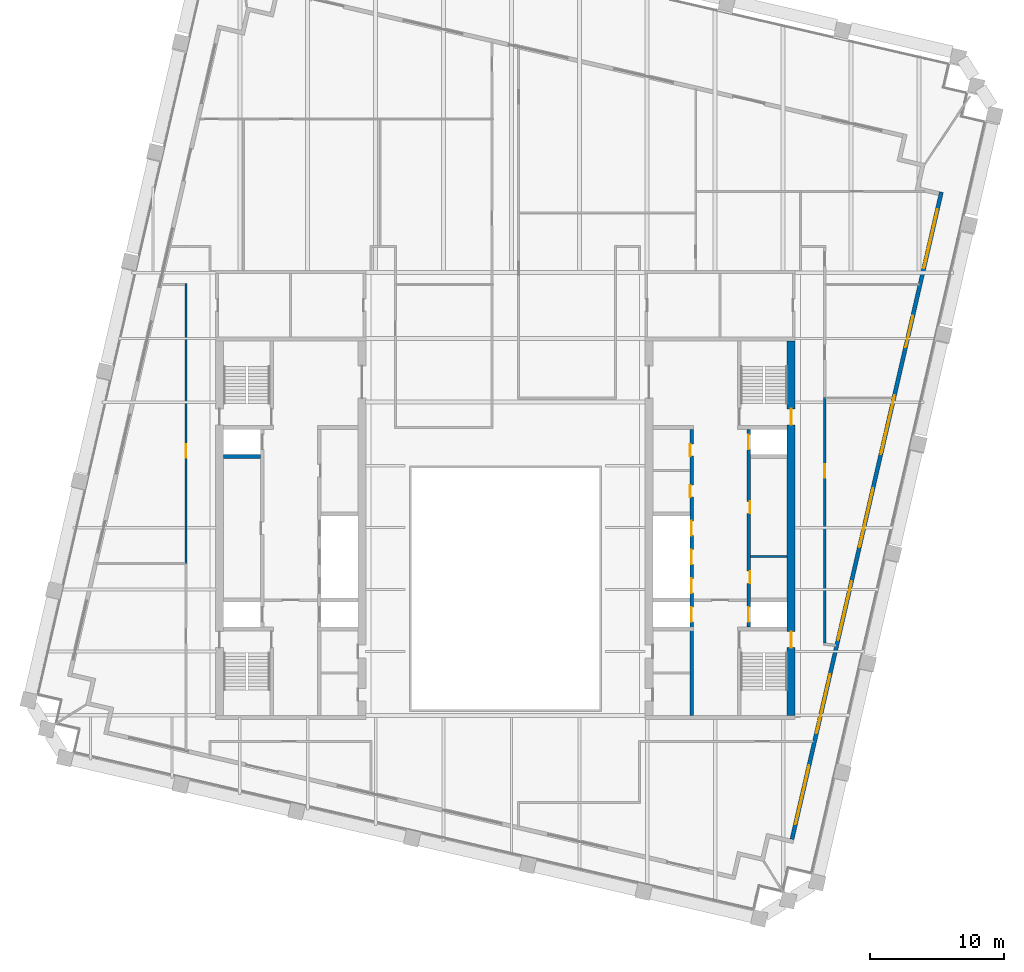
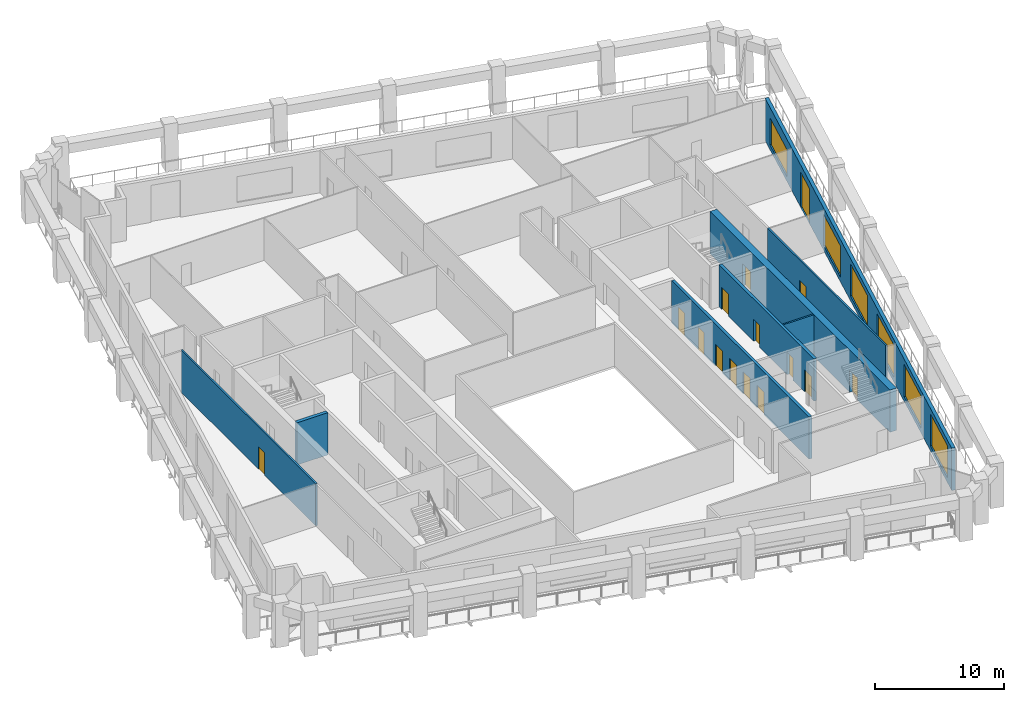
# One storey, part 5 of 10: 15 doors, 8 walls, 6 windows, 21 openings.
"""IFC4 building model written with IfcOpenShell, lengths in metres."""

from ifc_helpers import new_model, si_unit, direction, frame, frame_2d, origin, place, context, subcontext, project, spatial, rectangle, extrude, material, layer, layer_set, type_object, element, fill, save


model = new_model("IFC4")

# Units and contexts
model_context = context("Model", 3, precision=1e-05, world=origin(), true_north=direction((0.0, 1.0)))
body_context = subcontext(model_context, "Body", "Model", "MODEL_VIEW")
ifc_project = project(units=[si_unit("LENGTHUNIT", "METRE"), si_unit("AREAUNIT", "SQUARE_METRE"), si_unit("VOLUMEUNIT", "CUBIC_METRE"), si_unit("PLANEANGLEUNIT", "RADIAN"), si_unit("MASSUNIT", "GRAM", prefix="KILO")], contexts=[model_context])

# Site, building, storey
site_placement = place(None, origin())
site = spatial("IfcSite", under=ifc_project, at=site_placement, CompositionType="ELEMENT")
building_placement = place(site_placement, origin())
building = spatial("IfcBuilding", under=site, at=building_placement, Name="Ogive Exchange Tower", CompositionType="ELEMENT")
storey_placement = place(building_placement, frame((0.0, 0.0, 280.800048828125)))
storey = spatial("IfcBuildingStorey", under=building, at=storey_placement, Name="L61", CompositionType="ELEMENT", Elevation=280.800048828125)

# Wall
ifc_material_1 = material(Name="Gypsum board partition")
ifc_layer_1 = layer(ifc_material_1, 0.14990234375)
ifc_layer_set_1 = layer_set([ifc_layer_1], Name="Core room partition 150 gypsum")
wall_type_1 = type_object("IfcWallType", Name="Core room partition 150 gypsum", PredefinedType="PARTITIONING", material=ifc_layer_set_1)
wall_1_placement = place(storey_placement, frame((18.25, 9.39990234375, 0.0), z_axis=(0.0, 0.0, 1.0), x_axis=(1.0, 0.0, 0.0)))
element("IfcWall", 1, at=wall_1_placement, inside=storey, type_object=wall_type_1, Name="E row A bay partition 1-1", PredefinedType="PARTITIONING", context=body_context, shape_type="SweptSolid", body=[
    extrude(rectangle(XDim=2.75, YDim=0.14990234375, at=frame_2d((1.375, 0.0))), origin(), (0.0, 0.0, 1.0), 4.0),
])

# Wall, opening, door
ifc_material_2 = material(Name="Fire partition EI 60 150")
ifc_layer_2 = layer(ifc_material_2, 0.14990234375)
ifc_layer_set_2 = layer_set([ifc_layer_2], Name="Fire partition EI 60 150")
wall_type_2 = type_object("IfcWallType", Name="Fire partition EI 60 150", PredefinedType="PARTITIONING", material=ifc_layer_set_2)
wall_2_placement = place(storey_placement, frame((-23.800048828125, 8.860107421875, 0.0), z_axis=(0.0, 0.0, 1.0), x_axis=(0.0, 1.0, 0.0)))
wall_2 = element("IfcWall", 2, at=wall_2_placement, inside=storey, type_object=wall_type_2, Name="L61-PWL-004", PredefinedType="PARTITIONING", context=body_context, shape_type="SweptSolid", body=[
    extrude(rectangle(XDim=20.875, YDim=0.14990234375, at=frame_2d((10.4375, 0.0))), origin(), (0.0, 0.0, 1.0), 4.0),
])
opening_1_placement = place(wall_2_placement, frame((7.89990234375, 0.0, 0.0)))
opening_1 = element("IfcOpeningElement", 3, at=opening_1_placement, cuts=wall_2, Name="Opening L61-I14", PredefinedType="OPENING", context=body_context, shape_type="SweptSolid", body=[
    extrude(rectangle(XDim=1.0, YDim=2.10009765625, at=frame_2d((0.5, 1.050048828125))), frame((0.0, 0.0849609375, 0.0), z_axis=(0.0, -1.0, 0.0), x_axis=(1.0, 0.0, 0.0)), (0.0, 0.0, 1.0), 0.169921875),
])
ifc_material_3 = material(Name="Fire door FD 30S 1000 x 2100")
door_type_1 = type_object("IfcDoorType", Name="Fire door FD 30S 1000 x 2100", OperationType="NOTDEFINED", PredefinedType="DOOR", material=ifc_material_3)
door_1_placement = place(opening_1_placement, origin())
door_1 = element("IfcDoor", 4, at=door_1_placement, inside=storey, type_object=door_type_1, Name="L61-IDR-014", ObjectType="DT3", OperationType="SINGLE_SWING_RIGHT", OverallHeight=2.10009765625, OverallWidth=1.0, PredefinedType="DOOR", context=body_context, shape_type="SweptSolid", body=[
    extrude(rectangle(XDim=1.0, YDim=2.10009765625, at=frame_2d((0.5, 1.050048828125))), frame((0.0, 0.02490234375, 0.0), z_axis=(0.0, -1.0, 0.0), x_axis=(1.0, 0.0, 0.0)), (0.0, 0.0, 1.0), 0.050048828125),
])
fill(opening_1, door_1)

wall_3_placement = place(storey_placement, frame((23.800048828125, 21.260009765625, 0.0), z_axis=(0.0, 0.0, 1.0), x_axis=(0.0, -1.0, 0.0)))
wall_3 = element("IfcWall", 5, at=wall_3_placement, inside=storey, type_object=wall_type_2, Name="L61-PWL-047", PredefinedType="PARTITIONING", context=body_context, shape_type="SweptSolid", body=[
    extrude(rectangle(XDim=18.324951171875, YDim=0.14990234375, at=frame_2d((9.16259765625, 0.0))), origin(), (0.0, 0.0, 1.0), 4.0),
])
opening_2_placement = place(wall_3_placement, frame((5.0, 0.0, 0.0)))
opening_2 = element("IfcOpeningElement", 6, at=opening_2_placement, cuts=wall_3, Name="Opening L61-I02", PredefinedType="OPENING", context=body_context, shape_type="SweptSolid", body=[
    extrude(rectangle(XDim=1.0, YDim=2.10009765625, at=frame_2d((0.5, 1.050048828125))), frame((0.0, 0.0849609375, 0.0), z_axis=(0.0, -1.0, 0.0), x_axis=(1.0, 0.0, 0.0)), (0.0, 0.0, 1.0), 0.169921875),
])
door_2_placement = place(opening_2_placement, origin())
door_2 = element("IfcDoor", 7, at=door_2_placement, inside=storey, type_object=door_type_1, Name="L61-IDR-002", ObjectType="DT3", OperationType="SINGLE_SWING_RIGHT", OverallHeight=2.10009765625, OverallWidth=1.0, PredefinedType="DOOR", context=body_context, shape_type="SweptSolid", body=[
    extrude(rectangle(XDim=1.0, YDim=2.10009765625, at=frame_2d((0.5, 1.050048828125))), frame((0.0, 0.02490234375, 0.0), z_axis=(0.0, -1.0, 0.0), x_axis=(1.0, 0.0, 0.0)), (0.0, 0.0, 1.0), 0.050048828125),
])
fill(opening_2, door_2)

# Wall, openings, door, windows
ifc_material_4 = material(Name="Precast concrete C40/50", Category="concrete")
ifc_layer_3 = layer(ifc_material_4, 0.300048828125)
ifc_layer_set_3 = layer_set([ifc_layer_3], Name="Limestone-faced wall 300")
wall_type_3 = type_object("IfcWallType", Name="Limestone-faced wall 300", PredefinedType="STANDARD", material=ifc_layer_set_3)
wall_4_placement = place(storey_placement, frame((21.35888671875, -11.67822265625, 0.0), z_axis=(0.0, 0.0, 1.0), x_axis=(0.224949198343, 0.974370493275, 0.0)))
wall_4 = element("IfcWall", 8, at=wall_4_placement, inside=storey, type_object=wall_type_3, Name="External wall E2", PredefinedType="STANDARD", context=body_context, shape_type="SweptSolid", body=[
    extrude(rectangle(XDim=49.5, YDim=0.300048828125, at=frame_2d((24.75, 0.0))), origin(), (0.0, 0.0, 1.0), 4.0),
])
opening_3_placement = place(wall_4_placement, frame((1.156982421875, 0.0, 0.449951171875)))
opening_3 = element("IfcOpeningElement", 9, at=opening_3_placement, cuts=wall_4, Name="Opening W1", PredefinedType="OPENING", context=body_context, shape_type="SweptSolid", body=[
    extrude(rectangle(XDim=4.5, YDim=3.050048828125, at=frame_2d((2.25, 1.52490234375))), frame((0.0, 0.159912109375, 0.0), z_axis=(0.0, -1.0, 0.0), x_axis=(1.0, 0.0, 0.0)), (0.0, 0.0, 1.0), 0.320068359375),
])
opening_4_placement = place(wall_4_placement, frame((8.121337890625, 0.0, 0.449951171875)))
opening_4 = element("IfcOpeningElement", 10, at=opening_4_placement, cuts=wall_4, Name="Opening W1", PredefinedType="OPENING", context=body_context, shape_type="SweptSolid", body=[
    extrude(rectangle(XDim=4.5, YDim=3.050048828125, at=frame_2d((2.25, 1.52490234375))), frame((0.0, 0.159912109375, 0.0), z_axis=(0.0, -1.0, 0.0), x_axis=(1.0, 0.0, 0.0)), (0.0, 0.0, 1.0), 0.320068359375),
])
opening_5_placement = place(wall_4_placement, frame((15.235595703125, 0.0, 0.449951171875)))
opening_5 = element("IfcOpeningElement", 11, at=opening_5_placement, cuts=wall_4, Name="Opening W1", PredefinedType="OPENING", context=body_context, shape_type="SweptSolid", body=[
    extrude(rectangle(XDim=4.5, YDim=3.050048828125, at=frame_2d((2.25, 1.52490234375))), frame((0.0, 0.159912109375, 0.0), z_axis=(0.0, -1.0, 0.0), x_axis=(1.0, 0.0, 0.0)), (0.0, 0.0, 1.0), 0.320068359375),
])
opening_6_placement = place(wall_4_placement, frame((22.35009765625, 0.0, 0.449951171875)))
opening_6 = element("IfcOpeningElement", 12, at=opening_6_placement, cuts=wall_4, Name="Opening W1", PredefinedType="OPENING", context=body_context, shape_type="SweptSolid", body=[
    extrude(rectangle(XDim=4.5, YDim=3.050048828125, at=frame_2d((2.25, 1.52490234375))), frame((0.0, 0.159912109375, 0.0), z_axis=(0.0, -1.0, 0.0), x_axis=(1.0, 0.0, 0.0)), (0.0, 0.0, 1.0), 0.320068359375),
])
opening_7_placement = place(wall_4_placement, frame((29.464111328125, 0.0, 0.449951171875)))
opening_7 = element("IfcOpeningElement", 13, at=opening_7_placement, cuts=wall_4, Name="Opening W1B", PredefinedType="OPENING", context=body_context, shape_type="SweptSolid", body=[
    extrude(rectangle(XDim=4.5, YDim=2.949951171875, at=frame_2d((2.25, 1.47509765625))), frame((0.0, 0.159912109375, 0.0), z_axis=(0.0, -1.0, 0.0), x_axis=(1.0, 0.0, 0.0)), (0.0, 0.0, 1.0), 0.320068359375),
])
opening_8_placement = place(wall_4_placement, frame((37.62841796875, 0.0, 0.0)))
opening_8 = element("IfcOpeningElement", 14, at=opening_8_placement, cuts=wall_4, Name="Opening D1C", PredefinedType="OPENING", context=body_context, shape_type="SweptSolid", body=[
    extrude(rectangle(XDim=2.39990234375, YDim=3.324951171875, at=frame_2d((1.199951171875, 1.66259765625))), frame((0.0, 0.159912109375, 0.0), z_axis=(0.0, -1.0, 0.0), x_axis=(1.0, 0.0, 0.0)), (0.0, 0.0, 1.0), 0.320068359375),
])
opening_9_placement = place(wall_4_placement, frame((43.69287109375, 0.0, 0.449951171875)))
opening_9 = element("IfcOpeningElement", 15, at=opening_9_placement, cuts=wall_4, Name="Opening W1M", PredefinedType="OPENING", context=body_context, shape_type="SweptSolid", body=[
    extrude(rectangle(XDim=4.5, YDim=2.574951171875, at=frame_2d((2.25, 1.28759765625))), frame((0.0, 0.159912109375, 0.0), z_axis=(0.0, -1.0, 0.0), x_axis=(1.0, 0.0, 0.0)), (0.0, 0.0, 1.0), 0.320068359375),
])
ifc_material_5 = material(Name="Clear glass in bronze frame", Category="glass")
door_type_2 = type_object("IfcDoorType", Name="Sliding loggia door 2400 x 3325", OperationType="DOUBLE_DOOR_SLIDING", PredefinedType="DOOR", material=ifc_material_5)
door_3_placement = place(opening_8_placement, origin())
door_3 = element("IfcDoor", 16, at=door_3_placement, inside=storey, type_object=door_type_2, Name="Loggia door E05", OperationType="DOUBLE_DOOR_SLIDING", OverallHeight=3.324951171875, OverallWidth=2.39990234375, PredefinedType="DOOR", context=body_context, shape_type="SweptSolid", body=[
    extrude(rectangle(XDim=2.39990234375, YDim=3.324951171875, at=frame_2d((1.199951171875, 1.66259765625))), frame((0.0, 0.02490234375, 0.0), z_axis=(0.0, -1.0, 0.0), x_axis=(1.0, 0.0, 0.0)), (0.0, 0.0, 1.0), 0.050048828125),
])
fill(opening_8, door_3)
window_type_1 = type_object("IfcWindowType", Name="Twin lancet window 4500 x 2575", PartitioningType="DOUBLE_PANEL_VERTICAL", PredefinedType="WINDOW", material=ifc_material_5)
window_1_placement = place(opening_9_placement, origin())
window_1 = element("IfcWindow", 17, at=window_1_placement, inside=storey, type_object=window_type_1, Name="Window E06", OverallHeight=2.574951171875, OverallWidth=4.5, PartitioningType="DOUBLE_PANEL_VERTICAL", PredefinedType="WINDOW", context=body_context, shape_type="SweptSolid", body=[
    extrude(rectangle(XDim=4.5, YDim=2.574951171875, at=frame_2d((2.25, 1.28759765625))), frame((0.0, 0.030029296875, 0.0), z_axis=(0.0, -1.0, 0.0), x_axis=(1.0, 0.0, 0.0)), (0.0, 0.0, 1.0), 0.06005859375),
])
fill(opening_9, window_1)
window_type_2 = type_object("IfcWindowType", Name="Twin lancet window 4500 x 2950", PartitioningType="DOUBLE_PANEL_VERTICAL", PredefinedType="WINDOW", material=ifc_material_5)
window_2_placement = place(opening_7_placement, origin())
window_2 = element("IfcWindow", 18, at=window_2_placement, inside=storey, type_object=window_type_2, Name="Window E04", OverallHeight=2.949951171875, OverallWidth=4.5, PartitioningType="DOUBLE_PANEL_VERTICAL", PredefinedType="WINDOW", context=body_context, shape_type="SweptSolid", body=[
    extrude(rectangle(XDim=4.5, YDim=2.949951171875, at=frame_2d((2.25, 1.47509765625))), frame((0.0, 0.030029296875, 0.0), z_axis=(0.0, -1.0, 0.0), x_axis=(1.0, 0.0, 0.0)), (0.0, 0.0, 1.0), 0.06005859375),
])
fill(opening_7, window_2)
window_type_3 = type_object("IfcWindowType", Name="Twin lancet window 4500 x 3050", PartitioningType="DOUBLE_PANEL_VERTICAL", PredefinedType="WINDOW", material=ifc_material_5)
window_3_placement = place(opening_3_placement, origin())
window_3 = element("IfcWindow", 19, at=window_3_placement, inside=storey, type_object=window_type_3, Name="Window E00", OverallHeight=3.050048828125, OverallWidth=4.5, PartitioningType="DOUBLE_PANEL_VERTICAL", PredefinedType="WINDOW", context=body_context, shape_type="SweptSolid", body=[
    extrude(rectangle(XDim=4.5, YDim=3.050048828125, at=frame_2d((2.25, 1.52490234375))), frame((0.0, 0.030029296875, 0.0), z_axis=(0.0, -1.0, 0.0), x_axis=(1.0, 0.0, 0.0)), (0.0, 0.0, 1.0), 0.06005859375),
])
fill(opening_3, window_3)
window_4_placement = place(opening_4_placement, origin())
window_4 = element("IfcWindow", 20, at=window_4_placement, inside=storey, type_object=window_type_3, Name="Window E01", OverallHeight=3.050048828125, OverallWidth=4.5, PartitioningType="DOUBLE_PANEL_VERTICAL", PredefinedType="WINDOW", context=body_context, shape_type="SweptSolid", body=[
    extrude(rectangle(XDim=4.5, YDim=3.050048828125, at=frame_2d((2.25, 1.52490234375))), frame((0.0, 0.030029296875, 0.0), z_axis=(0.0, -1.0, 0.0), x_axis=(1.0, 0.0, 0.0)), (0.0, 0.0, 1.0), 0.06005859375),
])
fill(opening_4, window_4)
window_5_placement = place(opening_5_placement, origin())
window_5 = element("IfcWindow", 21, at=window_5_placement, inside=storey, type_object=window_type_3, Name="Window E02", OverallHeight=3.050048828125, OverallWidth=4.5, PartitioningType="DOUBLE_PANEL_VERTICAL", PredefinedType="WINDOW", context=body_context, shape_type="SweptSolid", body=[
    extrude(rectangle(XDim=4.5, YDim=3.050048828125, at=frame_2d((2.25, 1.52490234375))), frame((0.0, 0.030029296875, 0.0), z_axis=(0.0, -1.0, 0.0), x_axis=(1.0, 0.0, 0.0)), (0.0, 0.0, 1.0), 0.06005859375),
])
fill(opening_5, window_5)
window_6_placement = place(opening_6_placement, origin())
window_6 = element("IfcWindow", 22, at=window_6_placement, inside=storey, type_object=window_type_3, Name="Window E03", OverallHeight=3.050048828125, OverallWidth=4.5, PartitioningType="DOUBLE_PANEL_VERTICAL", PredefinedType="WINDOW", context=body_context, shape_type="SweptSolid", body=[
    extrude(rectangle(XDim=4.5, YDim=3.050048828125, at=frame_2d((2.25, 1.52490234375))), frame((0.0, 0.030029296875, 0.0), z_axis=(0.0, -1.0, 0.0), x_axis=(1.0, 0.0, 0.0)), (0.0, 0.0, 1.0), 0.06005859375),
])
fill(opening_6, window_6)

# Wall, openings, doors
ifc_material_6 = material(Name="Concrete C70/85", Category="concrete")
ifc_layer_4 = layer(ifc_material_6, 0.25)
ifc_layer_set_4 = layer_set([ifc_layer_4], Name="RC core wall 250 C70/85")
wall_type_4 = type_object("IfcWallType", Name="RC core wall 250 C70/85", PredefinedType="SHEAR", material=ifc_layer_set_4)
wall_5_placement = place(storey_placement, frame((18.125, 4.14990234375, 0.0), z_axis=(0.0, 0.0, 1.0), x_axis=(0.0, 1.0, 0.0)))
wall_5 = element("IfcWall", 23, at=wall_5_placement, inside=storey, type_object=wall_type_4, Name="E row A front wall", PredefinedType="SHEAR", context=body_context, shape_type="SweptSolid", body=[
    extrude(rectangle(XDim=14.7001953125, YDim=0.25, at=frame_2d((7.35009765625, 0.0))), origin(), (0.0, 0.0, 1.0), 4.0),
])
opening_10_placement = place(wall_5_placement, frame((3.246337890625, 0.0, 0.0)))
opening_10 = element("IfcOpeningElement", 24, at=opening_10_placement, cuts=wall_5, Name="Opening L61-C19", PredefinedType="OPENING", context=body_context, shape_type="SweptSolid", body=[
    extrude(rectangle(XDim=0.89990234375, YDim=2.10009765625, at=frame_2d((0.449951171875, 1.050048828125))), frame((0.0, 0.135009765625, 0.0), z_axis=(0.0, -1.0, 0.0), x_axis=(1.0, 0.0, 0.0)), (0.0, 0.0, 1.0), 0.27001953125),
])
opening_11_placement = place(wall_5_placement, frame((8.45361328125, 0.0, 0.0)))
opening_11 = element("IfcOpeningElement", 25, at=opening_11_placement, cuts=wall_5, Name="Opening L61-C20", PredefinedType="OPENING", context=body_context, shape_type="SweptSolid", body=[
    extrude(rectangle(XDim=0.89990234375, YDim=2.10009765625, at=frame_2d((0.449951171875, 1.050048828125))), frame((0.0, 0.135009765625, 0.0), z_axis=(0.0, -1.0, 0.0), x_axis=(1.0, 0.0, 0.0)), (0.0, 0.0, 1.0), 0.27001953125),
])
opening_12_placement = place(wall_5_placement, frame((0.371337890625, 0.0, 0.0)))
opening_12 = element("IfcOpeningElement", 26, at=opening_12_placement, cuts=wall_5, Name="Opening L61-C21", PredefinedType="OPENING", context=body_context, shape_type="SweptSolid", body=[
    extrude(rectangle(XDim=1.10009765625, YDim=2.10009765625, at=frame_2d((0.550048828125, 1.050048828125))), frame((0.0, 0.135009765625, 0.0), z_axis=(0.0, -1.0, 0.0), x_axis=(1.0, 0.0, 0.0)), (0.0, 0.0, 1.0), 0.27001953125),
])
opening_13_placement = place(wall_5_placement, frame((13.228515625, 0.0, 0.0)))
opening_13 = element("IfcOpeningElement", 27, at=opening_13_placement, cuts=wall_5, Name="Opening L61-C22", PredefinedType="OPENING", context=body_context, shape_type="SweptSolid", body=[
    extrude(rectangle(XDim=1.10009765625, YDim=2.10009765625, at=frame_2d((0.550048828125, 1.050048828125))), frame((0.0, 0.135009765625, 0.0), z_axis=(0.0, -1.0, 0.0), x_axis=(1.0, 0.0, 0.0)), (0.0, 0.0, 1.0), 0.27001953125),
])
ifc_material_7 = material(Name="Stainless steel", Category="steel")
door_type_3 = type_object("IfcDoorType", Name="Lift landing door FD90 1100 x 2100", OperationType="SLIDING_TO_LEFT", PredefinedType="DOOR", material=ifc_material_7)
door_4_placement = place(opening_12_placement, origin())
door_4 = element("IfcDoor", 28, at=door_4_placement, inside=storey, type_object=door_type_3, Name="Lift landing door FF2", ObjectType="LD", OperationType="SLIDING_TO_LEFT", OverallHeight=2.10009765625, OverallWidth=1.10009765625, PredefinedType="DOOR", context=body_context, shape_type="SweptSolid", body=[
    extrude(rectangle(XDim=1.10009765625, YDim=2.10009765625, at=frame_2d((0.550048828125, 1.050048828125))), frame((0.0, 0.02490234375, 0.0), z_axis=(0.0, -1.0, 0.0), x_axis=(1.0, 0.0, 0.0)), (0.0, 0.0, 1.0), 0.050048828125),
])
fill(opening_12, door_4)
door_5_placement = place(opening_13_placement, origin())
door_5 = element("IfcDoor", 29, at=door_5_placement, inside=storey, type_object=door_type_3, Name="Lift landing door E-SH2", ObjectType="LD", OperationType="SLIDING_TO_LEFT", OverallHeight=2.10009765625, OverallWidth=1.10009765625, PredefinedType="DOOR", context=body_context, shape_type="SweptSolid", body=[
    extrude(rectangle(XDim=1.10009765625, YDim=2.10009765625, at=frame_2d((0.550048828125, 1.050048828125))), frame((0.0, 0.02490234375, 0.0), z_axis=(0.0, -1.0, 0.0), x_axis=(1.0, 0.0, 0.0)), (0.0, 0.0, 1.0), 0.050048828125),
])
fill(opening_13, door_5)
ifc_material_8 = material(Name="Steel fire door", Category="steel")
door_type_4 = type_object("IfcDoorType", Name="Riser door FD60 900 x 2100", OperationType="NOTDEFINED", PredefinedType="DOOR", material=ifc_material_8)
door_6_placement = place(opening_10_placement, frame((0.89990234375, -0.2001953125, 0.0), z_axis=(0.0, 0.0, 1.0), x_axis=(-1.0, 0.0, 0.0)))
door_6 = element("IfcDoor", 30, at=door_6_placement, inside=storey, type_object=door_type_4, Name="Riser door", ObjectType="CD2", OperationType="SINGLE_SWING_RIGHT", OverallHeight=2.10009765625, OverallWidth=0.89990234375, PredefinedType="DOOR", context=body_context, shape_type="SweptSolid", body=[
    extrude(rectangle(XDim=0.89990234375, YDim=2.10009765625, at=frame_2d((0.449951171875, 1.050048828125))), frame((0.0, -0.0751953125, 0.0), z_axis=(0.0, -1.0, 0.0), x_axis=(1.0, 0.0, 0.0)), (0.0, 0.0, 1.0), 0.050048828125),
])
fill(opening_10, door_6)
door_7_placement = place(opening_11_placement, frame((0.89990234375, -0.2001953125, 0.0), z_axis=(0.0, 0.0, 1.0), x_axis=(-1.0, 0.0, 0.0)))
door_7 = element("IfcDoor", 31, at=door_7_placement, inside=storey, type_object=door_type_4, Name="Riser door", ObjectType="CD2", OperationType="SINGLE_SWING_LEFT", OverallHeight=2.10009765625, OverallWidth=0.89990234375, PredefinedType="DOOR", context=body_context, shape_type="SweptSolid", body=[
    extrude(rectangle(XDim=0.89990234375, YDim=2.10009765625, at=frame_2d((0.449951171875, 1.050048828125))), frame((0.0, -0.0751953125, 0.0), z_axis=(0.0, -1.0, 0.0), x_axis=(1.0, 0.0, 0.0)), (0.0, 0.0, 1.0), 0.050048828125),
])
fill(opening_11, door_7)

wall_6_placement = place(storey_placement, frame((13.875, -2.449951171875, 0.0), z_axis=(0.0, 0.0, 1.0), x_axis=(0.0, 1.0, 0.0)))
wall_6 = element("IfcWall", 32, at=wall_6_placement, inside=storey, type_object=wall_type_4, Name="E row B front wall", PredefinedType="SHEAR", context=body_context, shape_type="SweptSolid", body=[
    extrude(rectangle(XDim=21.300048828125, YDim=0.25, at=frame_2d((10.64990234375, 0.0))), origin(), (0.0, 0.0, 1.0), 4.0),
])
opening_14_placement = place(wall_6_placement, frame((16.2607421875, 0.0, 0.0)))
opening_14 = element("IfcOpeningElement", 33, at=opening_14_placement, cuts=wall_6, Name="Opening L61-C23", PredefinedType="OPENING", context=body_context, shape_type="SweptSolid", body=[
    extrude(rectangle(XDim=0.89990234375, YDim=2.10009765625, at=frame_2d((0.449951171875, 1.050048828125))), frame((0.0, 0.135009765625, 0.0), z_axis=(0.0, -1.0, 0.0), x_axis=(1.0, 0.0, 0.0)), (0.0, 0.0, 1.0), 0.27001953125),
])
opening_15_placement = place(wall_6_placement, frame((19.324951171875, 0.0, 0.0)))
opening_15 = element("IfcOpeningElement", 34, at=opening_15_placement, cuts=wall_6, Name="Opening L61-C24", PredefinedType="OPENING", context=body_context, shape_type="SweptSolid", body=[
    extrude(rectangle(XDim=0.89990234375, YDim=2.10009765625, at=frame_2d((0.449951171875, 1.050048828125))), frame((0.0, 0.135009765625, 0.0), z_axis=(0.0, -1.0, 0.0), x_axis=(1.0, 0.0, 0.0)), (0.0, 0.0, 1.0), 0.27001953125),
])
opening_16_placement = place(wall_6_placement, frame((6.971435546875, 0.0, 0.0)))
opening_16 = element("IfcOpeningElement", 35, at=opening_16_placement, cuts=wall_6, Name="Opening L61-C25", PredefinedType="OPENING", context=body_context, shape_type="SweptSolid", body=[
    extrude(rectangle(XDim=1.10009765625, YDim=2.10009765625, at=frame_2d((0.550048828125, 1.050048828125))), frame((0.0, 0.135009765625, 0.0), z_axis=(0.0, -1.0, 0.0), x_axis=(1.0, 0.0, 0.0)), (0.0, 0.0, 1.0), 0.27001953125),
])
opening_17_placement = place(wall_6_placement, frame((9.1142578125, 0.0, 0.0)))
opening_17 = element("IfcOpeningElement", 36, at=opening_17_placement, cuts=wall_6, Name="Opening L61-C26", PredefinedType="OPENING", context=body_context, shape_type="SweptSolid", body=[
    extrude(rectangle(XDim=1.10009765625, YDim=2.10009765625, at=frame_2d((0.550048828125, 1.050048828125))), frame((0.0, 0.135009765625, 0.0), z_axis=(0.0, -1.0, 0.0), x_axis=(1.0, 0.0, 0.0)), (0.0, 0.0, 1.0), 0.27001953125),
])
opening_18_placement = place(wall_6_placement, frame((11.257080078125, 0.0, 0.0)))
opening_18 = element("IfcOpeningElement", 37, at=opening_18_placement, cuts=wall_6, Name="Opening L61-C27", PredefinedType="OPENING", context=body_context, shape_type="SweptSolid", body=[
    extrude(rectangle(XDim=1.10009765625, YDim=2.10009765625, at=frame_2d((0.550048828125, 1.050048828125))), frame((0.0, 0.135009765625, 0.0), z_axis=(0.0, -1.0, 0.0), x_axis=(1.0, 0.0, 0.0)), (0.0, 0.0, 1.0), 0.27001953125),
])
opening_19_placement = place(wall_6_placement, frame((13.39990234375, 0.0, 0.0)))
opening_19 = element("IfcOpeningElement", 38, at=opening_19_placement, cuts=wall_6, Name="Opening L61-C28", PredefinedType="OPENING", context=body_context, shape_type="SweptSolid", body=[
    extrude(rectangle(XDim=1.10009765625, YDim=2.10009765625, at=frame_2d((0.550048828125, 1.050048828125))), frame((0.0, 0.135009765625, 0.0), z_axis=(0.0, -1.0, 0.0), x_axis=(1.0, 0.0, 0.0)), (0.0, 0.0, 1.0), 0.27001953125),
])
door_8_placement = place(opening_16_placement, origin())
door_8 = element("IfcDoor", 39, at=door_8_placement, inside=storey, type_object=door_type_3, Name="Lift landing door SV2", ObjectType="LD", OperationType="SLIDING_TO_LEFT", OverallHeight=2.10009765625, OverallWidth=1.10009765625, PredefinedType="DOOR", context=body_context, shape_type="SweptSolid", body=[
    extrude(rectangle(XDim=1.10009765625, YDim=2.10009765625, at=frame_2d((0.550048828125, 1.050048828125))), frame((0.0, 0.02490234375, 0.0), z_axis=(0.0, -1.0, 0.0), x_axis=(1.0, 0.0, 0.0)), (0.0, 0.0, 1.0), 0.050048828125),
])
fill(opening_16, door_8)
door_9_placement = place(opening_17_placement, origin())
door_9 = element("IfcDoor", 40, at=door_9_placement, inside=storey, type_object=door_type_3, Name="Lift landing door E-M1", ObjectType="LD", OperationType="SLIDING_TO_LEFT", OverallHeight=2.10009765625, OverallWidth=1.10009765625, PredefinedType="DOOR", context=body_context, shape_type="SweptSolid", body=[
    extrude(rectangle(XDim=1.10009765625, YDim=2.10009765625, at=frame_2d((0.550048828125, 1.050048828125))), frame((0.0, 0.02490234375, 0.0), z_axis=(0.0, -1.0, 0.0), x_axis=(1.0, 0.0, 0.0)), (0.0, 0.0, 1.0), 0.050048828125),
])
fill(opening_17, door_9)
door_10_placement = place(opening_18_placement, origin())
door_10 = element("IfcDoor", 41, at=door_10_placement, inside=storey, type_object=door_type_3, Name="Lift landing door E-M2", ObjectType="LD", OperationType="SLIDING_TO_LEFT", OverallHeight=2.10009765625, OverallWidth=1.10009765625, PredefinedType="DOOR", context=body_context, shape_type="SweptSolid", body=[
    extrude(rectangle(XDim=1.10009765625, YDim=2.10009765625, at=frame_2d((0.550048828125, 1.050048828125))), frame((0.0, 0.02490234375, 0.0), z_axis=(0.0, -1.0, 0.0), x_axis=(1.0, 0.0, 0.0)), (0.0, 0.0, 1.0), 0.050048828125),
])
fill(opening_18, door_10)
door_11_placement = place(opening_19_placement, origin())
door_11 = element("IfcDoor", 42, at=door_11_placement, inside=storey, type_object=door_type_3, Name="Lift landing door E-M3", ObjectType="LD", OperationType="SLIDING_TO_LEFT", OverallHeight=2.10009765625, OverallWidth=1.10009765625, PredefinedType="DOOR", context=body_context, shape_type="SweptSolid", body=[
    extrude(rectangle(XDim=1.10009765625, YDim=2.10009765625, at=frame_2d((0.550048828125, 1.050048828125))), frame((0.0, 0.02490234375, 0.0), z_axis=(0.0, -1.0, 0.0), x_axis=(1.0, 0.0, 0.0)), (0.0, 0.0, 1.0), 0.050048828125),
])
fill(opening_19, door_11)
door_12_placement = place(opening_14_placement, origin())
door_12 = element("IfcDoor", 43, at=door_12_placement, inside=storey, type_object=door_type_4, Name="Riser door", ObjectType="CD2", OperationType="SINGLE_SWING_RIGHT", OverallHeight=2.10009765625, OverallWidth=0.89990234375, PredefinedType="DOOR", context=body_context, shape_type="SweptSolid", body=[
    extrude(rectangle(XDim=0.89990234375, YDim=2.10009765625, at=frame_2d((0.449951171875, 1.050048828125))), frame((0.0, 0.125, 0.0), z_axis=(0.0, -1.0, 0.0), x_axis=(1.0, 0.0, 0.0)), (0.0, 0.0, 1.0), 0.050048828125),
])
fill(opening_14, door_12)
door_13_placement = place(opening_15_placement, origin())
door_13 = element("IfcDoor", 44, at=door_13_placement, inside=storey, type_object=door_type_4, Name="Riser door", ObjectType="CD2", OperationType="SINGLE_SWING_LEFT", OverallHeight=2.10009765625, OverallWidth=0.89990234375, PredefinedType="DOOR", context=body_context, shape_type="SweptSolid", body=[
    extrude(rectangle(XDim=0.89990234375, YDim=2.10009765625, at=frame_2d((0.449951171875, 1.050048828125))), frame((0.0, 0.125, 0.0), z_axis=(0.0, -1.0, 0.0), x_axis=(1.0, 0.0, 0.0)), (0.0, 0.0, 1.0), 0.050048828125),
])
fill(opening_15, door_13)

# Wall
ifc_layer_5 = layer(ifc_material_6, 0.300048828125)
ifc_layer_set_5 = layer_set([ifc_layer_5], Name="RC core wall 300 C70/85")
wall_type_5 = type_object("IfcWallType", Name="RC core wall 300 C70/85", PredefinedType="SHEAR", material=ifc_layer_set_5)
wall_7_placement = place(storey_placement, frame((-21.0, 16.857177734375, 0.0), z_axis=(0.0, 0.0, 1.0), x_axis=(1.0, 0.0, 0.0)))
element("IfcWall", 45, at=wall_7_placement, inside=storey, type_object=wall_type_5, Name="W row A divider 6", PredefinedType="SHEAR", context=body_context, shape_type="SweptSolid", body=[
    extrude(rectangle(XDim=2.75, YDim=0.300048828125, at=frame_2d((1.375, 0.0))), origin(), (0.0, 0.0, 1.0), 4.0),
])

# Wall, openings, doors
ifc_layer_6 = layer(ifc_material_6, 0.60009765625)
ifc_layer_set_6 = layer_set([ifc_layer_6], Name="RC core wall 600 C70/85")
wall_type_6 = type_object("IfcWallType", Name="RC core wall 600 C70/85", PredefinedType="SHEAR", material=ifc_layer_set_6)
wall_8_placement = place(storey_placement, frame((21.300048828125, -2.449951171875, 0.0), z_axis=(0.0, 0.0, 1.0), x_axis=(0.0, 1.0, 0.0)))
wall_8 = element("IfcWall", 46, at=wall_8_placement, inside=storey, type_object=wall_type_6, Name="E outer wall", PredefinedType="SHEAR", context=body_context, shape_type="SweptSolid", body=[
    extrude(rectangle(XDim=27.89990234375, YDim=0.60009765625, at=frame_2d((13.949951171875, 0.0))), origin(), (0.0, 0.0, 1.0), 4.0),
])
opening_20_placement = place(wall_8_placement, frame((5.050048828125, 0.0, 0.0)))
opening_20 = element("IfcOpeningElement", 47, at=opening_20_placement, cuts=wall_8, Name="Opening L61-C32", PredefinedType="OPENING", context=body_context, shape_type="SweptSolid", body=[
    extrude(rectangle(XDim=1.199951171875, YDim=2.10009765625, at=frame_2d((0.60009765625, 1.050048828125))), frame((0.0, 0.31005859375, 0.0), z_axis=(0.0, -1.0, 0.0), x_axis=(1.0, 0.0, 0.0)), (0.0, 0.0, 1.0), 0.6201171875),
])
opening_21_placement = place(wall_8_placement, frame((21.64990234375, 0.0, 0.0)))
opening_21 = element("IfcOpeningElement", 48, at=opening_21_placement, cuts=wall_8, Name="Opening L61-C34", PredefinedType="OPENING", context=body_context, shape_type="SweptSolid", body=[
    extrude(rectangle(XDim=1.199951171875, YDim=2.10009765625, at=frame_2d((0.60009765625, 1.050048828125))), frame((0.0, 0.31005859375, 0.0), z_axis=(0.0, -1.0, 0.0), x_axis=(1.0, 0.0, 0.0)), (0.0, 0.0, 1.0), 0.6201171875),
])
door_type_5 = type_object("IfcDoorType", Name="Stair door FD90 1200 x 2100", OperationType="NOTDEFINED", PredefinedType="DOOR", material=ifc_material_8)
door_14_placement = place(opening_20_placement, frame((1.199951171875, 0.0, 0.0), z_axis=(0.0, 0.0, 1.0), x_axis=(-1.0, 0.0, 0.0)))
door_14 = element("IfcDoor", 49, at=door_14_placement, inside=storey, type_object=door_type_5, Name="Stair door", ObjectType="CD5", OperationType="SINGLE_SWING_RIGHT", OverallHeight=2.10009765625, OverallWidth=1.199951171875, PredefinedType="DOOR", context=body_context, shape_type="SweptSolid", body=[
    extrude(rectangle(XDim=1.199951171875, YDim=2.10009765625, at=frame_2d((0.60009765625, 1.050048828125))), frame((0.0, 0.02490234375, 0.0), z_axis=(0.0, -1.0, 0.0), x_axis=(1.0, 0.0, 0.0)), (0.0, 0.0, 1.0), 0.050048828125),
])
fill(opening_20, door_14)
door_15_placement = place(opening_21_placement, frame((1.199951171875, 0.0, 0.0), z_axis=(0.0, 0.0, 1.0), x_axis=(-1.0, 0.0, 0.0)))
door_15 = element("IfcDoor", 50, at=door_15_placement, inside=storey, type_object=door_type_5, Name="Stair door", ObjectType="CD5", OperationType="SINGLE_SWING_LEFT", OverallHeight=2.10009765625, OverallWidth=1.199951171875, PredefinedType="DOOR", context=body_context, shape_type="SweptSolid", body=[
    extrude(rectangle(XDim=1.199951171875, YDim=2.10009765625, at=frame_2d((0.60009765625, 1.050048828125))), frame((0.0, 0.02490234375, 0.0), z_axis=(0.0, -1.0, 0.0), x_axis=(1.0, 0.0, 0.0)), (0.0, 0.0, 1.0), 0.050048828125),
])
fill(opening_21, door_15)

save(model, "model.ifc")
